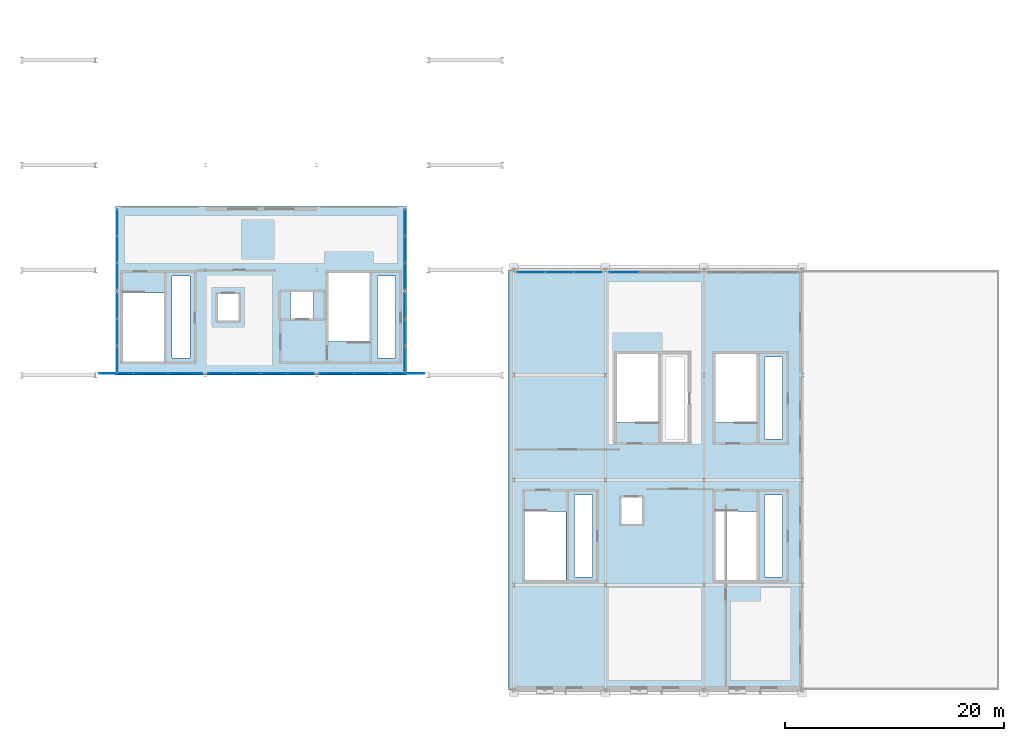
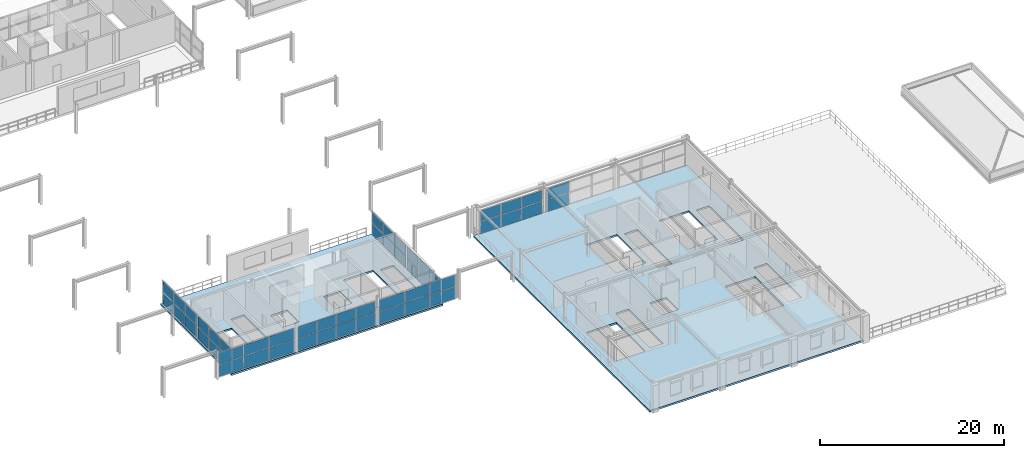
# One storey, part 30 of 52: 52 plates, 2 slabs, 9 elements without a shape of their own.
"""IFC4 building model written with IfcOpenShell, lengths in metres."""

import ifcopenshell
import ifcopenshell.guid

model = None  # the IFC model being written
_history = None  # IfcOwnerHistory: only IFC2X3 demands one
_inside = {}  # id of a spatial element -> (the spatial element, [elements in it])
_under = {}  # id of a project, library or spatial element -> (it, [spatial elements below it])
_declared = {}  # id of a project -> (the project, [libraries it declares])
_typed = {}  # id of a type object -> (the type object, [elements of that type])
_made_of = {}  # id of a material, layer set ... -> (it, [elements and type objects made of it])


def new_model(schema):
    """Start an empty IFC model of exactly this schema.

    Asked for "IFC4X3", IfcOpenShell would pick the latest addendum, in which some entities
    have other attributes; the version numbers below select the first issue.
    IFC2X3 requires an IfcOwnerHistory on every rooted entity: one is made here for all.
    """
    global model, _history
    if schema == "IFC4X3":
        model = ifcopenshell.file(schema_version=(4, 3, 0, 0))
    else:
        model = ifcopenshell.file(schema=schema)
    _inside.clear()
    _under.clear()
    _declared.clear()
    _typed.clear()
    _made_of.clear()
    _history = None
    if model.schema == "IFC2X3":
        org = make("IfcOrganization", Name="unknown")
        user = make(
            "IfcPersonAndOrganization",
            ThePerson=make("IfcPerson", FamilyName="unknown"),
            TheOrganization=org,
        )
        app = make(
            "IfcApplication",
            ApplicationDeveloper=org,
            Version="unknown",
            ApplicationFullName="unknown",
            ApplicationIdentifier="unknown",
        )
        _history = make(
            "IfcOwnerHistory",
            OwningUser=user,
            OwningApplication=app,
            ChangeAction="ADDED",
            CreationDate=0,
        )
    return model


def make(cls, **values):
    """One entity of the class cls with the attributes given. An attribute that is None is left unset."""
    return model.create_entity(
        cls, **{name: value for name, value in values.items() if value is not None}
    )


def rooted(cls, **values):
    """An entity with a GlobalId (a new one), such as an element, a storey or a relation."""
    return make(cls, GlobalId=ifcopenshell.guid.new(), OwnerHistory=_history, **values)


def si_unit(unit_type, name, prefix=None):
    """IfcSIUnit, for example si_unit("LENGTHUNIT", "METRE", prefix="MILLI")."""
    return make("IfcSIUnit", UnitType=unit_type, Prefix=prefix, Name=name)


def assignment(units):
    """IfcUnitAssignment: the units of a project."""
    return None if units is None else make("IfcUnitAssignment", Units=units)


def point(xyz):
    """IfcCartesianPoint."""
    return None if xyz is None else make("IfcCartesianPoint", Coordinates=xyz)


def direction(xyz):
    """IfcDirection."""
    return None if xyz is None else make("IfcDirection", DirectionRatios=xyz)


def frame(location, z_axis=None, x_axis=None):
    """IfcAxis2Placement3D, a coordinate frame: its origin and axes. An axis left out is left unset."""
    return make(
        "IfcAxis2Placement3D",
        Location=point(location),
        Axis=direction(z_axis),
        RefDirection=direction(x_axis),
    )


def frame_2d(location, x_axis=None):
    """IfcAxis2Placement2D, a coordinate frame in the plane: its origin and x axis."""
    return make(
        "IfcAxis2Placement2D", Location=point(location), RefDirection=direction(x_axis)
    )


def origin():
    """The frame at (0, 0, 0) with its axes left unset."""
    return frame((0.0, 0.0, 0.0))


def origin_2d():
    """The frame at (0, 0) in the plane with its x axis left unset."""
    return frame_2d((0.0, 0.0))


def place(relative_to, where):
    """IfcLocalPlacement: puts the frame where relative to a parent placement (None: the world)."""
    return make(
        "IfcLocalPlacement", PlacementRelTo=relative_to, RelativePlacement=where
    )


def context(
    kind, dimensions, precision=None, world=None, true_north=None, identifier=None
):
    """IfcGeometricRepresentationContext, for example the 3D "Model" context."""
    return make(
        "IfcGeometricRepresentationContext",
        ContextIdentifier=identifier,
        ContextType=kind,
        CoordinateSpaceDimension=dimensions,
        Precision=precision,
        WorldCoordinateSystem=world,
        TrueNorth=true_north,
    )


def subcontext(parent, identifier, kind, view, scale=None):
    """IfcGeometricRepresentationSubContext, for example "Body" below "Model"."""
    return make(
        "IfcGeometricRepresentationSubContext",
        ContextIdentifier=identifier,
        ContextType=kind,
        ParentContext=parent,
        TargetScale=scale,
        TargetView=view,
    )


def project(units=None, contexts=None):
    """IfcProject with its units and contexts."""
    return rooted(
        "IfcProject",
        Name="project",
        RepresentationContexts=contexts,
        UnitsInContext=assignment(units),
    )


def spatial(cls, under=None, at=None, **own):
    """A site, building, storey or space (cls), placed at a placement, below another one or the project."""
    s = rooted(cls, ObjectPlacement=at, **own)
    if under is not None:
        _under.setdefault(under.id(), (under, []))[1].append(s)
    return s


def polyline(points):
    """IfcPolyline through the points."""
    return make("IfcPolyline", Points=[point(p) for p in points])


def profile(cls, at=None, kind="AREA", **sizes):
    """A parametric profile (cls). Its sizes go by their IFC names, for example OverallWidth=200.0."""
    return make(cls, ProfileType=kind, Position=at, **sizes)


def rectangle(**sizes):
    """IfcRectangleProfileDef."""
    return profile("IfcRectangleProfileDef", **sizes)


def outline(outer, holes=None, kind="AREA"):
    """IfcArbitraryClosedProfileDef: a profile drawn as a closed curve; with holes, ...WithVoids."""
    if holes is None:
        return make("IfcArbitraryClosedProfileDef", ProfileType=kind, OuterCurve=outer)
    return make(
        "IfcArbitraryProfileDefWithVoids",
        ProfileType=kind,
        OuterCurve=outer,
        InnerCurves=holes,
    )


def extrude(swept, where, along, depth):
    """IfcExtrudedAreaSolid: the profile swept, set in the frame where, extruded along a direction by depth."""
    return make(
        "IfcExtrudedAreaSolid",
        SweptArea=swept,
        Position=where,
        ExtrudedDirection=direction(along),
        Depth=depth,
    )


def shape(context_of_items, identifier, shape_type, items):
    """IfcShapeRepresentation: the items that make up one representation, for example the "Body"."""
    return make(
        "IfcShapeRepresentation",
        ContextOfItems=context_of_items,
        RepresentationIdentifier=identifier,
        RepresentationType=shape_type,
        Items=items,
    )


def material(Name=None, Category=None):
    """IfcMaterial."""
    return make("IfcMaterial", Name=Name, Category=Category)


def layer(
    of_material, thickness, ventilated=None, Name=None, Category=None, Priority=None
):
    """IfcMaterialLayer: one layer of a wall or slab, of a material (None: an air gap)."""
    return make(
        "IfcMaterialLayer",
        Material=of_material,
        LayerThickness=thickness,
        IsVentilated=ventilated,
        Name=Name,
        Category=Category,
        Priority=Priority,
    )


def layer_set(layers, Name=None):
    """IfcMaterialLayerSet."""
    return make("IfcMaterialLayerSet", MaterialLayers=layers, LayerSetName=Name)


def made_of(thing, what):
    """Note that an element or type object is made of a material, layer set ...; save() writes the relation."""
    if what is not None:
        _made_of.setdefault(what.id(), (what, []))[1].append(thing)
    return thing


def type_object(cls, material=None, **own):
    """A type object (cls), such as IfcWallType, which elements share."""
    return made_of(rooted(cls, **own), material)


def element(
    cls,
    number,
    at=None,
    inside=None,
    cuts=None,
    type_object=None,
    material=None,
    context=None,
    identifier="Body",
    shape_type=None,
    held_by="IfcProductDefinitionShape",
    body=None,
    shapes=None,
    **own,
):
    """One element of the class cls, such as IfcWall. Its Tag is "e" and its number.

    at: its placement. inside: the storey or other place that contains it. cuts: it is an
    opening in that element (IfcRelVoidsElement). A single representation is given by context,
    identifier, shape_type and body (its items); several are given by shapes. held_by: the class
    of the entity that holds the representations. save() writes the other relations.
    """
    e = rooted(cls, Tag="e%d" % number, ObjectPlacement=at, **own)
    if body is not None:
        shapes = [shape(context, identifier, shape_type, body)]
    if shapes is not None:
        e.Representation = make(held_by, Representations=shapes)
    if inside is not None:
        _inside.setdefault(inside.id(), (inside, []))[1].append(e)
    if cuts is not None:
        rooted(
            "IfcRelVoidsElement", RelatingBuildingElement=cuts, RelatedOpeningElement=e
        )
    if type_object is not None:
        _typed.setdefault(type_object.id(), (type_object, []))[1].append(e)
    return made_of(e, material)


def aggregate(whole, parts):
    """IfcRelAggregates: a whole, such as a stair, and the parts it consists of."""
    return rooted("IfcRelAggregates", RelatingObject=whole, RelatedObjects=parts)


def save(model, path):
    """Write the relations noted so far, then the file.

    IfcRelAggregates (storeys below a building ...), IfcRelContainedInSpatialStructure (elements
    in a storey), IfcRelDefinesByType, IfcRelAssociatesMaterial and IfcRelDeclares: one each for
    every whole, place, type object, material and project.
    """
    for whole, parts in _under.values():
        aggregate(whole, parts)
    for where, things in _inside.values():
        rooted(
            "IfcRelContainedInSpatialStructure",
            RelatedElements=things,
            RelatingStructure=where,
        )
    for kind, things in _typed.values():
        rooted("IfcRelDefinesByType", RelatedObjects=things, RelatingType=kind)
    for what, things in _made_of.values():
        rooted("IfcRelAssociatesMaterial", RelatedObjects=things, RelatingMaterial=what)
    for by, libraries in _declared.values():
        rooted("IfcRelDeclares", RelatingContext=by, RelatedDefinitions=libraries)
    model.write(path)


model = new_model("IFC4")

# Units and contexts
model_context = context("Model", 3, precision=1e-05, world=origin(), true_north=direction((0.0, 1.0)))
body_context = subcontext(model_context, "Body", "Model", "MODEL_VIEW")
ifc_project = project(units=[si_unit("LENGTHUNIT", "METRE"), si_unit("AREAUNIT", "SQUARE_METRE"), si_unit("VOLUMEUNIT", "CUBIC_METRE"), si_unit("PLANEANGLEUNIT", "RADIAN"), si_unit("MASSUNIT", "GRAM", prefix="KILO")], contexts=[model_context])

# Site, building, storey
site_placement = place(None, origin())
site = spatial("IfcSite", under=ifc_project, at=site_placement, CompositionType="ELEMENT")
building_placement = place(site_placement, origin())
building = spatial("IfcBuilding", under=site, at=building_placement, Name="Myrtia Square Station", CompositionType="ELEMENT")
storey_placement = place(building_placement, frame((0.0, 0.0, 15.0)))
storey = spatial("IfcBuildingStorey", under=building, at=storey_placement, Name="L03", CompositionType="ELEMENT", Elevation=15.0)

# Curtain wall, plates
ifc_material_1 = material(Name="Dark bronze anodised aluminium", Category="aluminium")
ifc_layer_1 = layer(ifc_material_1, 0.159912109375, Name="Dark bronze anodised aluminium")
ifc_layer_set_1 = layer_set([ifc_layer_1], Name="Dark bronze anodised aluminium")
curtain_wall_type_1 = type_object("IfcCurtainWallType", Name="CW-TYPE-08-740x320", PredefinedType="USERDEFINED", material=ifc_layer_set_1)
curtain_wall_1_placement = place(storey_placement, origin())
curtain_wall_1 = element("IfcCurtainWall", 1, at=curtain_wall_1_placement, inside=storey, type_object=curtain_wall_type_1, Name="Concourse curtain wall CW-L03-034", ObjectType="CONCOURSE CURTAIN WALL", PredefinedType="USERDEFINED")
ifc_material_2 = material(Name="Tinted low-E solar control glass", Category="glass")
ifc_layer_2 = layer(ifc_material_2, 0.02392578125, Name="Tinted low-E solar control glass")
ifc_layer_set_2 = layer_set([ifc_layer_2], Name="Tinted low-E solar control glass")
plate_type_1 = type_object("IfcPlateType", Name="CWP-GLZ-24", PredefinedType="CURTAIN_PANEL", material=ifc_layer_set_2)
plate_1_placement = place(storey_placement, frame((107.64990234375, 30.252197265625, 0.0751953125), z_axis=(0.0, 0.0, 1.0), x_axis=(0.0, 1.0, 0.0)))
plate_1 = element("IfcPlate", 2, at=plate_1_placement, type_object=plate_type_1, Name="CW-034 panel 1.1", PredefinedType="CURTAIN_PANEL", context=body_context, shape_type="SweptSolid", body=[
    extrude(rectangle(XDim=2.354248046875, YDim=0.02392578125, at=origin_2d()), origin(), (0.0, 0.0, 1.0), 1.551513671875),
])
plate_2_placement = place(storey_placement, frame((107.64990234375, 30.252197265625, 1.70166015625), z_axis=(0.0, 0.0, 1.0), x_axis=(0.0, 1.0, 0.0)))
plate_2 = element("IfcPlate", 3, at=plate_2_placement, type_object=plate_type_1, Name="CW-034 panel 1.2", PredefinedType="CURTAIN_PANEL", context=body_context, shape_type="SweptSolid", body=[
    extrude(rectangle(XDim=2.354248046875, YDim=0.02392578125, at=origin_2d()), origin(), (0.0, 0.0, 1.0), 1.423583984375),
])
plate_3_placement = place(storey_placement, frame((107.64990234375, 32.699951171875, 0.0751953125), z_axis=(0.0, 0.0, 1.0), x_axis=(0.0, 1.0, 0.0)))
plate_3 = element("IfcPlate", 4, at=plate_3_placement, type_object=plate_type_1, Name="CW-034 panel 2.1", PredefinedType="CURTAIN_PANEL", context=body_context, shape_type="SweptSolid", body=[
    extrude(rectangle(XDim=2.3916015625, YDim=0.02392578125, at=origin_2d()), origin(), (0.0, 0.0, 1.0), 1.551513671875),
])
plate_4_placement = place(storey_placement, frame((107.64990234375, 32.699951171875, 1.70166015625), z_axis=(0.0, 0.0, 1.0), x_axis=(0.0, 1.0, 0.0)))
plate_4 = element("IfcPlate", 5, at=plate_4_placement, type_object=plate_type_1, Name="CW-034 panel 2.2", PredefinedType="CURTAIN_PANEL", context=body_context, shape_type="SweptSolid", body=[
    extrude(rectangle(XDim=2.3916015625, YDim=0.02392578125, at=origin_2d()), origin(), (0.0, 0.0, 1.0), 1.423583984375),
])
plate_5_placement = place(storey_placement, frame((107.64990234375, 35.14794921875, 0.0751953125), z_axis=(0.0, 0.0, 1.0), x_axis=(0.0, 1.0, 0.0)))
plate_5 = element("IfcPlate", 6, at=plate_5_placement, type_object=plate_type_1, Name="CW-034 panel 3.1", PredefinedType="CURTAIN_PANEL", context=body_context, shape_type="SweptSolid", body=[
    extrude(rectangle(XDim=2.354248046875, YDim=0.02392578125, at=origin_2d()), origin(), (0.0, 0.0, 1.0), 1.551513671875),
])
plate_6_placement = place(storey_placement, frame((107.64990234375, 35.14794921875, 1.70166015625), z_axis=(0.0, 0.0, 1.0), x_axis=(0.0, 1.0, 0.0)))
plate_6 = element("IfcPlate", 7, at=plate_6_placement, type_object=plate_type_1, Name="CW-034 panel 3.2", PredefinedType="CURTAIN_PANEL", context=body_context, shape_type="SweptSolid", body=[
    extrude(rectangle(XDim=2.354248046875, YDim=0.02392578125, at=origin_2d()), origin(), (0.0, 0.0, 1.0), 1.423583984375),
])
aggregate(curtain_wall_1, [plate_1, plate_2, plate_3, plate_4, plate_5, plate_6])

ifc_layer_3 = layer(ifc_material_1, 0.159912109375, Name="Dark bronze anodised aluminium")
ifc_layer_set_3 = layer_set([ifc_layer_3], Name="Dark bronze anodised aluminium")
curtain_wall_type_2 = type_object("IfcCurtainWallType", Name="CW-TYPE-07-740x320", PredefinedType="USERDEFINED", material=ifc_layer_set_3)
curtain_wall_2_placement = place(storey_placement, origin())
curtain_wall_2 = element("IfcCurtainWall", 8, at=curtain_wall_2_placement, inside=storey, type_object=curtain_wall_type_2, Name="Concourse curtain wall CW-L03-035", ObjectType="CONCOURSE CURTAIN WALL", PredefinedType="USERDEFINED")
plate_7_placement = place(storey_placement, frame((81.35009765625, 37.849609375, 0.06494140625), z_axis=(0.0, 0.0, 1.0), x_axis=(0.0, 1.0, 0.0)))
plate_7 = element("IfcPlate", 9, at=plate_7_placement, type_object=plate_type_1, Name="CW-035 panel 1.1", PredefinedType="CURTAIN_PANEL", context=body_context, shape_type="SweptSolid", body=[
    extrude(rectangle(XDim=2.369140625, YDim=0.02392578125, at=origin_2d()), origin(), (0.0, 0.0, 1.0), 1.56640625),
])
plate_8_placement = place(storey_placement, frame((81.35009765625, 37.849609375, 1.696533203125), z_axis=(0.0, 0.0, 1.0), x_axis=(0.0, 1.0, 0.0)))
plate_8 = element("IfcPlate", 10, at=plate_8_placement, type_object=plate_type_1, Name="CW-035 panel 1.2", PredefinedType="CURTAIN_PANEL", context=body_context, shape_type="SweptSolid", body=[
    extrude(rectangle(XDim=2.369140625, YDim=0.02392578125, at=origin_2d()), origin(), (0.0, 0.0, 1.0), 1.4384765625),
])
plate_9_placement = place(storey_placement, frame((81.35009765625, 40.300048828125, 0.06494140625), z_axis=(0.0, 0.0, 1.0), x_axis=(0.0, 1.0, 0.0)))
plate_9 = element("IfcPlate", 11, at=plate_9_placement, type_object=plate_type_1, Name="CW-035 panel 2.1", PredefinedType="CURTAIN_PANEL", context=body_context, shape_type="SweptSolid", body=[
    extrude(rectangle(XDim=2.401611328125, YDim=0.02392578125, at=origin_2d()), origin(), (0.0, 0.0, 1.0), 1.56640625),
])
plate_10_placement = place(storey_placement, frame((81.35009765625, 40.300048828125, 1.696533203125), z_axis=(0.0, 0.0, 1.0), x_axis=(0.0, 1.0, 0.0)))
plate_10 = element("IfcPlate", 12, at=plate_10_placement, type_object=plate_type_1, Name="CW-035 panel 2.2", PredefinedType="CURTAIN_PANEL", context=body_context, shape_type="SweptSolid", body=[
    extrude(rectangle(XDim=2.401611328125, YDim=0.02392578125, at=origin_2d()), origin(), (0.0, 0.0, 1.0), 1.4384765625),
])
plate_11_placement = place(storey_placement, frame((81.35009765625, 42.75048828125, 0.06494140625), z_axis=(0.0, 0.0, 1.0), x_axis=(0.0, 1.0, 0.0)))
plate_11 = element("IfcPlate", 13, at=plate_11_placement, type_object=plate_type_1, Name="CW-035 panel 3.1", PredefinedType="CURTAIN_PANEL", context=body_context, shape_type="SweptSolid", body=[
    extrude(rectangle(XDim=2.369140625, YDim=0.02392578125, at=origin_2d()), origin(), (0.0, 0.0, 1.0), 1.56640625),
])
plate_12_placement = place(storey_placement, frame((81.35009765625, 42.75048828125, 1.696533203125), z_axis=(0.0, 0.0, 1.0), x_axis=(0.0, 1.0, 0.0)))
plate_12 = element("IfcPlate", 14, at=plate_12_placement, type_object=plate_type_1, Name="CW-035 panel 3.2", PredefinedType="CURTAIN_PANEL", context=body_context, shape_type="SweptSolid", body=[
    extrude(rectangle(XDim=2.369140625, YDim=0.02392578125, at=origin_2d()), origin(), (0.0, 0.0, 1.0), 1.4384765625),
])
aggregate(curtain_wall_2, [plate_7, plate_8, plate_9, plate_10, plate_11, plate_12])

ifc_layer_4 = layer(ifc_material_1, 0.159912109375, Name="Dark bronze anodised aluminium")
ifc_layer_set_4 = layer_set([ifc_layer_4], Name="Dark bronze anodised aluminium")
curtain_wall_type_3 = type_object("IfcCurtainWallType", Name="CW-TYPE-47-786x320", PredefinedType="USERDEFINED", material=ifc_layer_set_4)
curtain_wall_3_placement = place(storey_placement, origin())
curtain_wall_3 = element("IfcCurtainWall", 15, at=curtain_wall_3_placement, inside=storey, type_object=curtain_wall_type_3, Name="Concourse curtain wall CW-L03-155", ObjectType="CONCOURSE CURTAIN WALL", PredefinedType="USERDEFINED")
plate_13_placement = place(storey_placement, frame((119.1962890625, 38.199951171875, 0.06494140625), z_axis=(0.0, 0.0, 1.0), x_axis=(1.0, 0.0, 0.0)))
plate_13 = element("IfcPlate", 16, at=plate_13_placement, type_object=plate_type_1, Name="CW-155 panel 1.1", PredefinedType="CURTAIN_PANEL", context=body_context, shape_type="SweptSolid", body=[
    extrude(rectangle(XDim=2.5224609375, YDim=0.02392578125, at=origin_2d()), origin(), (0.0, 0.0, 1.0), 1.56640625),
])
plate_14_placement = place(storey_placement, frame((119.1962890625, 38.199951171875, 1.696533203125), z_axis=(0.0, 0.0, 1.0), x_axis=(1.0, 0.0, 0.0)))
plate_14 = element("IfcPlate", 17, at=plate_14_placement, type_object=plate_type_1, Name="CW-155 panel 1.2", PredefinedType="CURTAIN_PANEL", context=body_context, shape_type="SweptSolid", body=[
    extrude(rectangle(XDim=2.5224609375, YDim=0.02392578125, at=origin_2d()), origin(), (0.0, 0.0, 1.0), 1.4384765625),
])
plate_15_placement = place(storey_placement, frame((121.800048828125, 38.199951171875, 0.06494140625), z_axis=(0.0, 0.0, 1.0), x_axis=(1.0, 0.0, 0.0)))
plate_15 = element("IfcPlate", 18, at=plate_15_placement, type_object=plate_type_1, Name="CW-155 panel 2.1", PredefinedType="CURTAIN_PANEL", context=body_context, shape_type="SweptSolid", body=[
    extrude(rectangle(XDim=2.554931640625, YDim=0.02392578125, at=origin_2d()), origin(), (0.0, 0.0, 1.0), 1.56640625),
])
plate_16_placement = place(storey_placement, frame((121.800048828125, 38.199951171875, 1.696533203125), z_axis=(0.0, 0.0, 1.0), x_axis=(1.0, 0.0, 0.0)))
plate_16 = element("IfcPlate", 19, at=plate_16_placement, type_object=plate_type_1, Name="CW-155 panel 2.2", PredefinedType="CURTAIN_PANEL", context=body_context, shape_type="SweptSolid", body=[
    extrude(rectangle(XDim=2.554931640625, YDim=0.02392578125, at=origin_2d()), origin(), (0.0, 0.0, 1.0), 1.4384765625),
])
plate_17_placement = place(storey_placement, frame((124.40380859375, 38.199951171875, 0.06494140625), z_axis=(0.0, 0.0, 1.0), x_axis=(1.0, 0.0, 0.0)))
plate_17 = element("IfcPlate", 20, at=plate_17_placement, type_object=plate_type_1, Name="CW-155 panel 3.1", PredefinedType="CURTAIN_PANEL", context=body_context, shape_type="SweptSolid", body=[
    extrude(rectangle(XDim=2.5224609375, YDim=0.02392578125, at=origin_2d()), origin(), (0.0, 0.0, 1.0), 1.56640625),
])
plate_18_placement = place(storey_placement, frame((124.40380859375, 38.199951171875, 1.696533203125), z_axis=(0.0, 0.0, 1.0), x_axis=(1.0, 0.0, 0.0)))
plate_18 = element("IfcPlate", 21, at=plate_18_placement, type_object=plate_type_1, Name="CW-155 panel 3.2", PredefinedType="CURTAIN_PANEL", context=body_context, shape_type="SweptSolid", body=[
    extrude(rectangle(XDim=2.5224609375, YDim=0.02392578125, at=origin_2d()), origin(), (0.0, 0.0, 1.0), 1.4384765625),
])
aggregate(curtain_wall_3, [plate_13, plate_14, plate_15, plate_16, plate_17, plate_18])

ifc_layer_5 = layer(ifc_material_1, 0.159912109375, Name="Dark bronze anodised aluminium")
ifc_layer_set_5 = layer_set([ifc_layer_5], Name="Dark bronze anodised aluminium")
curtain_wall_type_4 = type_object("IfcCurtainWallType", Name="CW-TYPE-15-955x325", PredefinedType="USERDEFINED", material=ifc_layer_set_5)
curtain_wall_4_placement = place(storey_placement, origin())
curtain_wall_4 = element("IfcCurtainWall", 22, at=curtain_wall_4_placement, inside=storey, type_object=curtain_wall_type_4, Name="Concourse curtain wall CW-L03-053", ObjectType="CONCOURSE CURTAIN WALL", PredefinedType="USERDEFINED")
ifc_layer_6 = layer(ifc_material_2, 0.028076171875, Name="Tinted low-E solar control glass")
ifc_layer_set_6 = layer_set([ifc_layer_6], Name="Tinted low-E solar control glass")
plate_type_2 = type_object("IfcPlateType", Name="CWP-GLZ-28", PredefinedType="CURTAIN_PANEL", material=ifc_layer_set_6)
plate_19_placement = place(storey_placement, frame((81.2578125, 28.949951171875, 0.06494140625), z_axis=(0.0, 0.0, 1.0), x_axis=(1.0, 0.0, 0.0)))
plate_19 = element("IfcPlate", 23, at=plate_19_placement, type_object=plate_type_2, Name="CW-053 panel 1.1", PredefinedType="CURTAIN_PANEL", context=body_context, shape_type="SweptSolid", body=[
    extrude(rectangle(XDim=3.0859375, YDim=0.028076171875, at=origin_2d()), origin(), (0.0, 0.0, 1.0), 1.592529296875),
])
plate_20_placement = place(storey_placement, frame((81.2578125, 28.949951171875, 1.72265625), z_axis=(0.0, 0.0, 1.0), x_axis=(1.0, 0.0, 0.0)))
plate_20 = element("IfcPlate", 24, at=plate_20_placement, type_object=plate_type_2, Name="CW-053 panel 1.2", PredefinedType="CURTAIN_PANEL", context=body_context, shape_type="SweptSolid", body=[
    extrude(rectangle(XDim=3.0859375, YDim=0.028076171875, at=origin_2d()), origin(), (0.0, 0.0, 1.0), 1.46240234375),
])
plate_21_placement = place(storey_placement, frame((84.425048828125, 28.949951171875, 0.06494140625), z_axis=(0.0, 0.0, 1.0), x_axis=(1.0, 0.0, 0.0)))
plate_21 = element("IfcPlate", 25, at=plate_21_placement, type_object=plate_type_2, Name="CW-053 panel 2.1", PredefinedType="CURTAIN_PANEL", context=body_context, shape_type="SweptSolid", body=[
    extrude(rectangle(XDim=3.118408203125, YDim=0.028076171875, at=origin_2d()), origin(), (0.0, 0.0, 1.0), 1.592529296875),
])
plate_22_placement = place(storey_placement, frame((84.425048828125, 28.949951171875, 1.72265625), z_axis=(0.0, 0.0, 1.0), x_axis=(1.0, 0.0, 0.0)))
plate_22 = element("IfcPlate", 26, at=plate_22_placement, type_object=plate_type_2, Name="CW-053 panel 2.2", PredefinedType="CURTAIN_PANEL", context=body_context, shape_type="SweptSolid", body=[
    extrude(rectangle(XDim=3.118408203125, YDim=0.028076171875, at=origin_2d()), origin(), (0.0, 0.0, 1.0), 1.46240234375),
])
plate_23_placement = place(storey_placement, frame((87.592041015625, 28.949951171875, 0.06494140625), z_axis=(0.0, 0.0, 1.0), x_axis=(1.0, 0.0, 0.0)))
plate_23 = element("IfcPlate", 27, at=plate_23_placement, type_object=plate_type_2, Name="CW-053 panel 3.1", PredefinedType="CURTAIN_PANEL", context=body_context, shape_type="SweptSolid", body=[
    extrude(rectangle(XDim=3.0859375, YDim=0.028076171875, at=origin_2d()), origin(), (0.0, 0.0, 1.0), 1.592529296875),
])
plate_24_placement = place(storey_placement, frame((87.592041015625, 28.949951171875, 1.72265625), z_axis=(0.0, 0.0, 1.0), x_axis=(1.0, 0.0, 0.0)))
plate_24 = element("IfcPlate", 28, at=plate_24_placement, type_object=plate_type_2, Name="CW-053 panel 3.2", PredefinedType="CURTAIN_PANEL", context=body_context, shape_type="SweptSolid", body=[
    extrude(rectangle(XDim=3.0859375, YDim=0.028076171875, at=origin_2d()), origin(), (0.0, 0.0, 1.0), 1.46240234375),
])
aggregate(curtain_wall_4, [plate_19, plate_20, plate_21, plate_22, plate_23, plate_24])

ifc_layer_7 = layer(ifc_material_1, 0.159912109375, Name="Dark bronze anodised aluminium")
ifc_layer_set_7 = layer_set([ifc_layer_7], Name="Dark bronze anodised aluminium")
curtain_wall_type_5 = type_object("IfcCurtainWallType", Name="CW-TYPE-17-970x325", PredefinedType="USERDEFINED", material=ifc_layer_set_7)
curtain_wall_5_placement = place(storey_placement, origin())
curtain_wall_5 = element("IfcCurtainWall", 29, at=curtain_wall_5_placement, inside=storey, type_object=curtain_wall_type_5, Name="Concourse curtain wall CW-L03-057", ObjectType="CONCOURSE CURTAIN WALL", PredefinedType="USERDEFINED")
plate_25_placement = place(storey_placement, frame((101.432861328125, 28.949951171875, 0.06494140625), z_axis=(0.0, 0.0, 1.0), x_axis=(1.0, 0.0, 0.0)))
plate_25 = element("IfcPlate", 30, at=plate_25_placement, type_object=plate_type_2, Name="CW-057 panel 1.1", PredefinedType="CURTAIN_PANEL", context=body_context, shape_type="SweptSolid", body=[
    extrude(rectangle(XDim=3.1357421875, YDim=0.028076171875, at=origin_2d()), origin(), (0.0, 0.0, 1.0), 1.592529296875),
])
plate_26_placement = place(storey_placement, frame((101.432861328125, 28.949951171875, 1.72265625), z_axis=(0.0, 0.0, 1.0), x_axis=(1.0, 0.0, 0.0)))
plate_26 = element("IfcPlate", 31, at=plate_26_placement, type_object=plate_type_2, Name="CW-057 panel 1.2", PredefinedType="CURTAIN_PANEL", context=body_context, shape_type="SweptSolid", body=[
    extrude(rectangle(XDim=3.1357421875, YDim=0.028076171875, at=origin_2d()), origin(), (0.0, 0.0, 1.0), 1.46240234375),
])
plate_27_placement = place(storey_placement, frame((104.64990234375, 28.949951171875, 0.06494140625), z_axis=(0.0, 0.0, 1.0), x_axis=(1.0, 0.0, 0.0)))
plate_27 = element("IfcPlate", 32, at=plate_27_placement, type_object=plate_type_2, Name="CW-057 panel 2.1", PredefinedType="CURTAIN_PANEL", context=body_context, shape_type="SweptSolid", body=[
    extrude(rectangle(XDim=3.168212890625, YDim=0.028076171875, at=origin_2d()), origin(), (0.0, 0.0, 1.0), 1.592529296875),
])
plate_28_placement = place(storey_placement, frame((104.64990234375, 28.949951171875, 1.72265625), z_axis=(0.0, 0.0, 1.0), x_axis=(1.0, 0.0, 0.0)))
plate_28 = element("IfcPlate", 33, at=plate_28_placement, type_object=plate_type_2, Name="CW-057 panel 2.2", PredefinedType="CURTAIN_PANEL", context=body_context, shape_type="SweptSolid", body=[
    extrude(rectangle(XDim=3.168212890625, YDim=0.028076171875, at=origin_2d()), origin(), (0.0, 0.0, 1.0), 1.46240234375),
])
plate_29_placement = place(storey_placement, frame((107.8671875, 28.949951171875, 0.06494140625), z_axis=(0.0, 0.0, 1.0), x_axis=(1.0, 0.0, 0.0)))
plate_29 = element("IfcPlate", 34, at=plate_29_placement, type_object=plate_type_2, Name="CW-057 panel 3.1", PredefinedType="CURTAIN_PANEL", context=body_context, shape_type="SweptSolid", body=[
    extrude(rectangle(XDim=3.1357421875, YDim=0.028076171875, at=origin_2d()), origin(), (0.0, 0.0, 1.0), 1.592529296875),
])
plate_30_placement = place(storey_placement, frame((107.8671875, 28.949951171875, 1.72265625), z_axis=(0.0, 0.0, 1.0), x_axis=(1.0, 0.0, 0.0)))
plate_30 = element("IfcPlate", 35, at=plate_30_placement, type_object=plate_type_2, Name="CW-057 panel 3.2", PredefinedType="CURTAIN_PANEL", context=body_context, shape_type="SweptSolid", body=[
    extrude(rectangle(XDim=3.1357421875, YDim=0.028076171875, at=origin_2d()), origin(), (0.0, 0.0, 1.0), 1.46240234375),
])
aggregate(curtain_wall_5, [plate_25, plate_26, plate_27, plate_28, plate_29, plate_30])

ifc_layer_8 = layer(ifc_material_1, 0.159912109375, Name="Dark bronze anodised aluminium")
ifc_layer_set_8 = layer_set([ifc_layer_8], Name="Dark bronze anodised aluminium")
curtain_wall_type_6 = type_object("IfcCurtainWallType", Name="CW-TYPE-48-846x320", PredefinedType="USERDEFINED", material=ifc_layer_set_8)
curtain_wall_6_placement = place(storey_placement, origin())
curtain_wall_6 = element("IfcCurtainWall", 36, at=curtain_wall_6_placement, inside=storey, type_object=curtain_wall_type_6, Name="Concourse curtain wall CW-L03-156", ObjectType="CONCOURSE CURTAIN WALL", PredefinedType="USERDEFINED")
plate_31_placement = place(storey_placement, frame((127.6962890625, 38.199951171875, 0.06494140625), z_axis=(0.0, 0.0, 1.0), x_axis=(1.0, 0.0, 0.0)))
plate_31 = element("IfcPlate", 37, at=plate_31_placement, type_object=plate_type_2, Name="CW-156 panel 1.1", PredefinedType="CURTAIN_PANEL", context=body_context, shape_type="SweptSolid", body=[
    extrude(rectangle(XDim=2.722412109375, YDim=0.028076171875, at=origin_2d()), origin(), (0.0, 0.0, 1.0), 1.56640625),
])
plate_32_placement = place(storey_placement, frame((127.6962890625, 38.199951171875, 1.696533203125), z_axis=(0.0, 0.0, 1.0), x_axis=(1.0, 0.0, 0.0)))
plate_32 = element("IfcPlate", 38, at=plate_32_placement, type_object=plate_type_2, Name="CW-156 panel 1.2", PredefinedType="CURTAIN_PANEL", context=body_context, shape_type="SweptSolid", body=[
    extrude(rectangle(XDim=2.722412109375, YDim=0.028076171875, at=origin_2d()), origin(), (0.0, 0.0, 1.0), 1.4384765625),
])
aggregate(curtain_wall_6, [plate_31, plate_32])

curtain_wall_7_placement = place(storey_placement, origin())
curtain_wall_7 = element("IfcCurtainWall", 39, at=curtain_wall_7_placement, inside=storey, type_object=curtain_wall_type_2, Name="Concourse curtain wall CW-L03-033", ObjectType="CONCOURSE CURTAIN WALL", PredefinedType="USERDEFINED")
ifc_layer_9 = layer(ifc_material_2, 0.031982421875, Name="Tinted low-E solar control glass")
ifc_layer_set_9 = layer_set([ifc_layer_9], Name="Tinted low-E solar control glass")
plate_type_3 = type_object("IfcPlateType", Name="CWP-GLZ-32", PredefinedType="CURTAIN_PANEL", material=ifc_layer_set_9)
plate_33_placement = place(storey_placement, frame((81.35009765625, 30.24951171875, 0.06494140625), z_axis=(0.0, 0.0, 1.0), x_axis=(0.0, 1.0, 0.0)))
plate_33 = element("IfcPlate", 40, at=plate_33_placement, type_object=plate_type_3, Name="CW-033 panel 1.1", PredefinedType="CURTAIN_PANEL", context=body_context, shape_type="SweptSolid", body=[
    extrude(rectangle(XDim=2.369140625, YDim=0.031982421875, at=origin_2d()), origin(), (0.0, 0.0, 1.0), 1.56640625),
])
plate_34_placement = place(storey_placement, frame((81.35009765625, 30.24951171875, 1.696533203125), z_axis=(0.0, 0.0, 1.0), x_axis=(0.0, 1.0, 0.0)))
plate_34 = element("IfcPlate", 41, at=plate_34_placement, type_object=plate_type_3, Name="CW-033 panel 1.2", PredefinedType="CURTAIN_PANEL", context=body_context, shape_type="SweptSolid", body=[
    extrude(rectangle(XDim=2.369140625, YDim=0.031982421875, at=origin_2d()), origin(), (0.0, 0.0, 1.0), 1.4384765625),
])
plate_35_placement = place(storey_placement, frame((81.35009765625, 32.699951171875, 0.06494140625), z_axis=(0.0, 0.0, 1.0), x_axis=(0.0, 1.0, 0.0)))
plate_35 = element("IfcPlate", 42, at=plate_35_placement, type_object=plate_type_3, Name="CW-033 panel 2.1", PredefinedType="CURTAIN_PANEL", context=body_context, shape_type="SweptSolid", body=[
    extrude(rectangle(XDim=2.401611328125, YDim=0.031982421875, at=origin_2d()), origin(), (0.0, 0.0, 1.0), 1.56640625),
])
plate_36_placement = place(storey_placement, frame((81.35009765625, 32.699951171875, 1.696533203125), z_axis=(0.0, 0.0, 1.0), x_axis=(0.0, 1.0, 0.0)))
plate_36 = element("IfcPlate", 43, at=plate_36_placement, type_object=plate_type_3, Name="CW-033 panel 2.2", PredefinedType="CURTAIN_PANEL", context=body_context, shape_type="SweptSolid", body=[
    extrude(rectangle(XDim=2.401611328125, YDim=0.031982421875, at=origin_2d()), origin(), (0.0, 0.0, 1.0), 1.4384765625),
])
plate_37_placement = place(storey_placement, frame((81.35009765625, 35.150390625, 0.06494140625), z_axis=(0.0, 0.0, 1.0), x_axis=(0.0, 1.0, 0.0)))
plate_37 = element("IfcPlate", 44, at=plate_37_placement, type_object=plate_type_3, Name="CW-033 panel 3.1", PredefinedType="CURTAIN_PANEL", context=body_context, shape_type="SweptSolid", body=[
    extrude(rectangle(XDim=2.369140625, YDim=0.031982421875, at=origin_2d()), origin(), (0.0, 0.0, 1.0), 1.56640625),
])
plate_38_placement = place(storey_placement, frame((81.35009765625, 35.150390625, 1.696533203125), z_axis=(0.0, 0.0, 1.0), x_axis=(0.0, 1.0, 0.0)))
plate_38 = element("IfcPlate", 45, at=plate_38_placement, type_object=plate_type_3, Name="CW-033 panel 3.2", PredefinedType="CURTAIN_PANEL", context=body_context, shape_type="SweptSolid", body=[
    extrude(rectangle(XDim=2.369140625, YDim=0.031982421875, at=origin_2d()), origin(), (0.0, 0.0, 1.0), 1.4384765625),
])
aggregate(curtain_wall_7, [plate_33, plate_34, plate_35, plate_36, plate_37, plate_38])

curtain_wall_8_placement = place(storey_placement, origin())
curtain_wall_8 = element("IfcCurtainWall", 46, at=curtain_wall_8_placement, inside=storey, type_object=curtain_wall_type_1, Name="Concourse curtain wall CW-L03-036", ObjectType="CONCOURSE CURTAIN WALL", PredefinedType="USERDEFINED")
plate_39_placement = place(storey_placement, frame((107.64990234375, 37.85205078125, 0.0751953125), z_axis=(0.0, 0.0, 1.0), x_axis=(0.0, 1.0, 0.0)))
plate_39 = element("IfcPlate", 47, at=plate_39_placement, type_object=plate_type_3, Name="CW-036 panel 1.1", PredefinedType="CURTAIN_PANEL", context=body_context, shape_type="SweptSolid", body=[
    extrude(rectangle(XDim=2.354248046875, YDim=0.031982421875, at=origin_2d()), origin(), (0.0, 0.0, 1.0), 1.551513671875),
])
plate_40_placement = place(storey_placement, frame((107.64990234375, 37.85205078125, 1.70166015625), z_axis=(0.0, 0.0, 1.0), x_axis=(0.0, 1.0, 0.0)))
plate_40 = element("IfcPlate", 48, at=plate_40_placement, type_object=plate_type_3, Name="CW-036 panel 1.2", PredefinedType="CURTAIN_PANEL", context=body_context, shape_type="SweptSolid", body=[
    extrude(rectangle(XDim=2.354248046875, YDim=0.031982421875, at=origin_2d()), origin(), (0.0, 0.0, 1.0), 1.423583984375),
])
plate_41_placement = place(storey_placement, frame((107.64990234375, 40.300048828125, 0.0751953125), z_axis=(0.0, 0.0, 1.0), x_axis=(0.0, 1.0, 0.0)))
plate_41 = element("IfcPlate", 49, at=plate_41_placement, type_object=plate_type_3, Name="CW-036 panel 2.1", PredefinedType="CURTAIN_PANEL", context=body_context, shape_type="SweptSolid", body=[
    extrude(rectangle(XDim=2.3916015625, YDim=0.031982421875, at=origin_2d()), origin(), (0.0, 0.0, 1.0), 1.551513671875),
])
plate_42_placement = place(storey_placement, frame((107.64990234375, 40.300048828125, 1.70166015625), z_axis=(0.0, 0.0, 1.0), x_axis=(0.0, 1.0, 0.0)))
plate_42 = element("IfcPlate", 50, at=plate_42_placement, type_object=plate_type_3, Name="CW-036 panel 2.2", PredefinedType="CURTAIN_PANEL", context=body_context, shape_type="SweptSolid", body=[
    extrude(rectangle(XDim=2.3916015625, YDim=0.031982421875, at=origin_2d()), origin(), (0.0, 0.0, 1.0), 1.423583984375),
])
plate_43_placement = place(storey_placement, frame((107.64990234375, 42.747802734375, 0.0751953125), z_axis=(0.0, 0.0, 1.0), x_axis=(0.0, 1.0, 0.0)))
plate_43 = element("IfcPlate", 51, at=plate_43_placement, type_object=plate_type_3, Name="CW-036 panel 3.1", PredefinedType="CURTAIN_PANEL", context=body_context, shape_type="SweptSolid", body=[
    extrude(rectangle(XDim=2.354248046875, YDim=0.031982421875, at=origin_2d()), origin(), (0.0, 0.0, 1.0), 1.551513671875),
])
plate_44_placement = place(storey_placement, frame((107.64990234375, 42.747802734375, 1.70166015625), z_axis=(0.0, 0.0, 1.0), x_axis=(0.0, 1.0, 0.0)))
plate_44 = element("IfcPlate", 52, at=plate_44_placement, type_object=plate_type_3, Name="CW-036 panel 3.2", PredefinedType="CURTAIN_PANEL", context=body_context, shape_type="SweptSolid", body=[
    extrude(rectangle(XDim=2.354248046875, YDim=0.031982421875, at=origin_2d()), origin(), (0.0, 0.0, 1.0), 1.423583984375),
])
aggregate(curtain_wall_8, [plate_39, plate_40, plate_41, plate_42, plate_43, plate_44])

ifc_layer_10 = layer(ifc_material_1, 0.159912109375, Name="Dark bronze anodised aluminium")
ifc_layer_set_10 = layer_set([ifc_layer_10], Name="Dark bronze anodised aluminium")
curtain_wall_type_7 = type_object("IfcCurtainWallType", Name="CW-TYPE-16-980x325", PredefinedType="USERDEFINED", material=ifc_layer_set_10)
curtain_wall_9_placement = place(storey_placement, origin())
curtain_wall_9 = element("IfcCurtainWall", 53, at=curtain_wall_9_placement, inside=storey, type_object=curtain_wall_type_7, Name="Concourse curtain wall CW-L03-055", ObjectType="CONCOURSE CURTAIN WALL", PredefinedType="USERDEFINED")
ifc_layer_11 = layer(ifc_material_2, 0.035888671875, Name="Tinted low-E solar control glass")
ifc_layer_set_11 = layer_set([ifc_layer_11], Name="Tinted low-E solar control glass")
plate_type_4 = type_object("IfcPlateType", Name="CWP-GLZ-36", PredefinedType="CURTAIN_PANEL", material=ifc_layer_set_11)
plate_45_placement = place(storey_placement, frame((90.84130859375, 28.949951171875, 0.06494140625), z_axis=(0.0, 0.0, 1.0), x_axis=(1.0, 0.0, 0.0)))
plate_45 = element("IfcPlate", 54, at=plate_45_placement, type_object=plate_type_4, Name="CW-055 panel 1.1", PredefinedType="CURTAIN_PANEL", context=body_context, shape_type="SweptSolid", body=[
    extrude(rectangle(XDim=2.3525390625, YDim=0.035888671875, at=origin_2d()), origin(), (0.0, 0.0, 1.0), 1.592529296875),
])
plate_46_placement = place(storey_placement, frame((90.84130859375, 28.949951171875, 1.72265625), z_axis=(0.0, 0.0, 1.0), x_axis=(1.0, 0.0, 0.0)))
plate_46 = element("IfcPlate", 55, at=plate_46_placement, type_object=plate_type_4, Name="CW-055 panel 1.2", PredefinedType="CURTAIN_PANEL", context=body_context, shape_type="SweptSolid", body=[
    extrude(rectangle(XDim=2.3525390625, YDim=0.035888671875, at=origin_2d()), origin(), (0.0, 0.0, 1.0), 1.46240234375),
])
plate_47_placement = place(storey_placement, frame((93.27490234375, 28.949951171875, 0.06494140625), z_axis=(0.0, 0.0, 1.0), x_axis=(1.0, 0.0, 0.0)))
plate_47 = element("IfcPlate", 56, at=plate_47_placement, type_object=plate_type_4, Name="CW-055 panel 2.1", PredefinedType="CURTAIN_PANEL", context=body_context, shape_type="SweptSolid", body=[
    extrude(rectangle(XDim=2.385009765625, YDim=0.035888671875, at=origin_2d()), origin(), (0.0, 0.0, 1.0), 1.592529296875),
])
plate_48_placement = place(storey_placement, frame((93.27490234375, 28.949951171875, 1.72265625), z_axis=(0.0, 0.0, 1.0), x_axis=(1.0, 0.0, 0.0)))
plate_48 = element("IfcPlate", 57, at=plate_48_placement, type_object=plate_type_4, Name="CW-055 panel 2.2", PredefinedType="CURTAIN_PANEL", context=body_context, shape_type="SweptSolid", body=[
    extrude(rectangle(XDim=2.385009765625, YDim=0.035888671875, at=origin_2d()), origin(), (0.0, 0.0, 1.0), 1.46240234375),
])
plate_49_placement = place(storey_placement, frame((95.72509765625, 28.949951171875, 0.06494140625), z_axis=(0.0, 0.0, 1.0), x_axis=(1.0, 0.0, 0.0)))
plate_49 = element("IfcPlate", 58, at=plate_49_placement, type_object=plate_type_4, Name="CW-055 panel 3.1", PredefinedType="CURTAIN_PANEL", context=body_context, shape_type="SweptSolid", body=[
    extrude(rectangle(XDim=2.385009765625, YDim=0.035888671875, at=origin_2d()), origin(), (0.0, 0.0, 1.0), 1.592529296875),
])
plate_50_placement = place(storey_placement, frame((95.72509765625, 28.949951171875, 1.72265625), z_axis=(0.0, 0.0, 1.0), x_axis=(1.0, 0.0, 0.0)))
plate_50 = element("IfcPlate", 59, at=plate_50_placement, type_object=plate_type_4, Name="CW-055 panel 3.2", PredefinedType="CURTAIN_PANEL", context=body_context, shape_type="SweptSolid", body=[
    extrude(rectangle(XDim=2.385009765625, YDim=0.035888671875, at=origin_2d()), origin(), (0.0, 0.0, 1.0), 1.46240234375),
])
plate_51_placement = place(storey_placement, frame((98.15869140625, 28.949951171875, 0.06494140625), z_axis=(0.0, 0.0, 1.0), x_axis=(1.0, 0.0, 0.0)))
plate_51 = element("IfcPlate", 60, at=plate_51_placement, type_object=plate_type_4, Name="CW-055 panel 4.1", PredefinedType="CURTAIN_PANEL", context=body_context, shape_type="SweptSolid", body=[
    extrude(rectangle(XDim=2.3525390625, YDim=0.035888671875, at=origin_2d()), origin(), (0.0, 0.0, 1.0), 1.592529296875),
])
plate_52_placement = place(storey_placement, frame((98.15869140625, 28.949951171875, 1.72265625), z_axis=(0.0, 0.0, 1.0), x_axis=(1.0, 0.0, 0.0)))
plate_52 = element("IfcPlate", 61, at=plate_52_placement, type_object=plate_type_4, Name="CW-055 panel 4.2", PredefinedType="CURTAIN_PANEL", context=body_context, shape_type="SweptSolid", body=[
    extrude(rectangle(XDim=2.3525390625, YDim=0.035888671875, at=origin_2d()), origin(), (0.0, 0.0, 1.0), 1.46240234375),
])
aggregate(curtain_wall_9, [plate_45, plate_46, plate_47, plate_48, plate_49, plate_50, plate_51, plate_52])

# Slabs
ifc_material_3 = material(Name="Concrete C35/45", Category="concrete")
ifc_layer_12 = layer(ifc_material_3, 0.239990234375, Name="Concrete C35/45")
ifc_layer_set_12 = layer_set([ifc_layer_12], Name="Concrete C35/45")
slab_type = type_object("IfcSlabType", Name="SLB-FLR-240", PredefinedType="FLOOR", material=ifc_layer_set_12)
slab_1_placement = place(storey_placement, frame((0.0, 0.0, -0.239990234375)))
element("IfcSlab", 62, at=slab_1_placement, inside=storey, type_object=slab_type, Name="Structural floor slab SLB-L03-V2S", PredefinedType="FLOOR", context=body_context, shape_type="SweptSolid", body=[
    extrude(outline(polyline([(81.199951171875, 28.800048828125), (107.800048828125, 28.800048828125), (107.800048828125, 44.199951171875), (81.199951171875, 44.199951171875), (81.199951171875, 28.800048828125)]), holes=[polyline([(86.35009765625, 30.35009765625), (86.35009765625, 37.85009765625), (88.0, 37.85009765625), (88.0, 30.35009765625), (86.35009765625, 30.35009765625)]), polyline([(105.14990234375, 30.35009765625), (105.14990234375, 37.85009765625), (106.800048828125, 37.85009765625), (106.800048828125, 30.35009765625), (105.14990234375, 30.35009765625)]), polyline([(81.85009765625, 30.050048828125), (81.85009765625, 36.320068359375), (85.610107421875, 36.320068359375), (85.610107421875, 30.050048828125), (81.85009765625, 30.050048828125)]), polyline([(100.64990234375, 31.8798828125), (100.64990234375, 38.14990234375), (104.409912109375, 38.14990234375), (104.409912109375, 31.8798828125), (100.64990234375, 31.8798828125)]), polyline([(90.449951171875, 33.699951171875), (90.449951171875, 36.300048828125), (92.550048828125, 36.300048828125), (92.550048828125, 33.699951171875), (90.449951171875, 33.699951171875)]), polyline([(97.199951171875, 33.889892578125), (97.199951171875, 36.489990234375), (99.300048828125, 36.489990234375), (99.300048828125, 33.889892578125), (97.199951171875, 33.889892578125)])]), origin(), (0.0, 0.0, 1.0), 0.239990234375),
])
slab_2_placement = place(storey_placement, frame((0.0, 0.0, -0.239990234375)))
element("IfcSlab", 63, at=slab_2_placement, inside=storey, type_object=slab_type, Name="Structural floor slab SLB-L03-V4", PredefinedType="FLOOR", context=body_context, shape_type="SweptSolid", body=[
    extrude(outline(polyline([(117.14990234375, 0.0), (144.0, 0.0), (144.0, 38.39990234375), (117.14990234375, 38.39990234375), (117.14990234375, 0.0)]), holes=[polyline([(123.14990234375, 10.35009765625), (123.14990234375, 17.85009765625), (124.800048828125, 17.85009765625), (124.800048828125, 10.35009765625), (123.14990234375, 10.35009765625)]), polyline([(140.550048828125, 10.35009765625), (140.550048828125, 17.85009765625), (142.199951171875, 17.85009765625), (142.199951171875, 10.35009765625), (140.550048828125, 10.35009765625)]), polyline([(140.550048828125, 22.949951171875), (140.550048828125, 30.449951171875), (142.199951171875, 30.449951171875), (142.199951171875, 22.949951171875), (140.550048828125, 22.949951171875)]), polyline([(131.550048828125, 22.949951171875), (131.550048828125, 30.449951171875), (133.199951171875, 30.449951171875), (133.199951171875, 22.949951171875), (131.550048828125, 22.949951171875)]), polyline([(118.64990234375, 10.050048828125), (118.64990234375, 16.320068359375), (122.409912109375, 16.320068359375), (122.409912109375, 10.050048828125), (118.64990234375, 10.050048828125)]), polyline([(136.050048828125, 10.050048828125), (136.050048828125, 16.320068359375), (139.81005859375, 16.320068359375), (139.81005859375, 10.050048828125), (136.050048828125, 10.050048828125)]), polyline([(136.050048828125, 24.47998046875), (136.050048828125, 30.75), (139.81005859375, 30.75), (139.81005859375, 24.47998046875), (136.050048828125, 24.47998046875)]), polyline([(127.050048828125, 24.47998046875), (127.050048828125, 30.75), (130.81005859375, 30.75), (130.81005859375, 24.47998046875), (127.050048828125, 24.47998046875)]), polyline([(127.35009765625, 15.10009765625), (127.35009765625, 17.699951171875), (129.449951171875, 17.699951171875), (129.449951171875, 15.10009765625), (127.35009765625, 15.10009765625)])]), origin(), (0.0, 0.0, 1.0), 0.239990234375),
])

save(model, "model.ifc")
